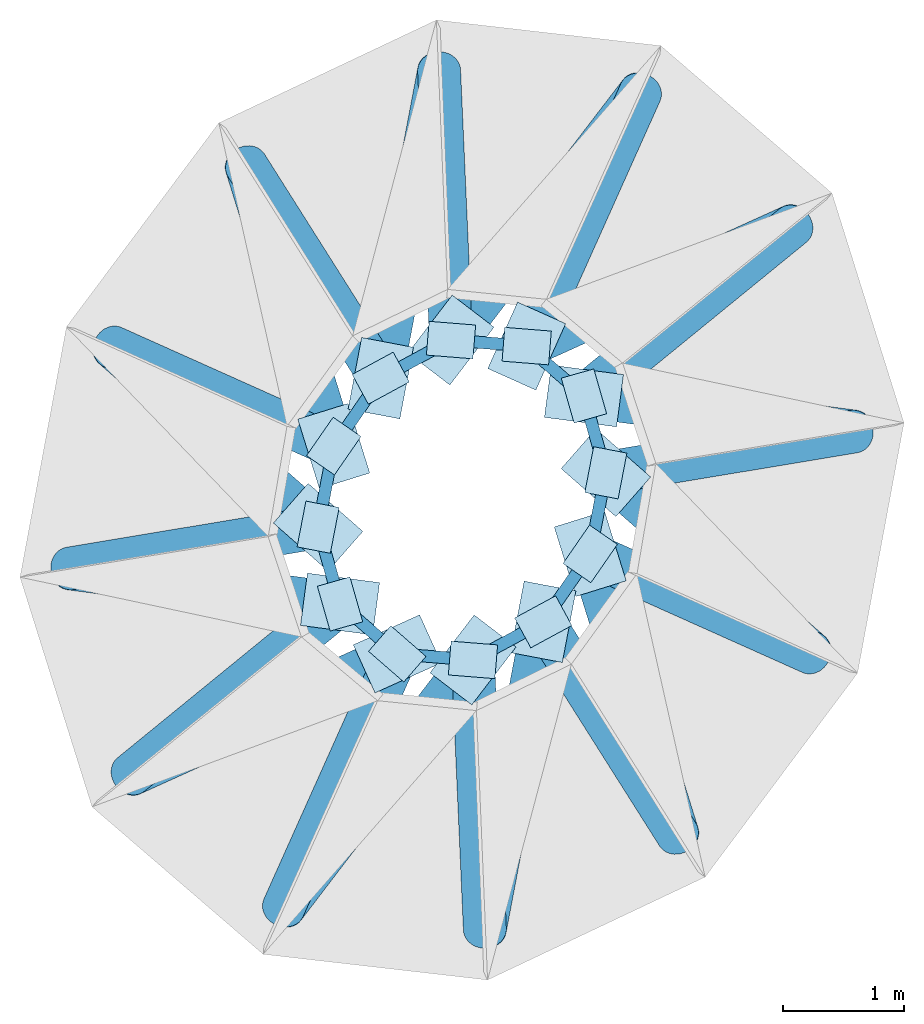
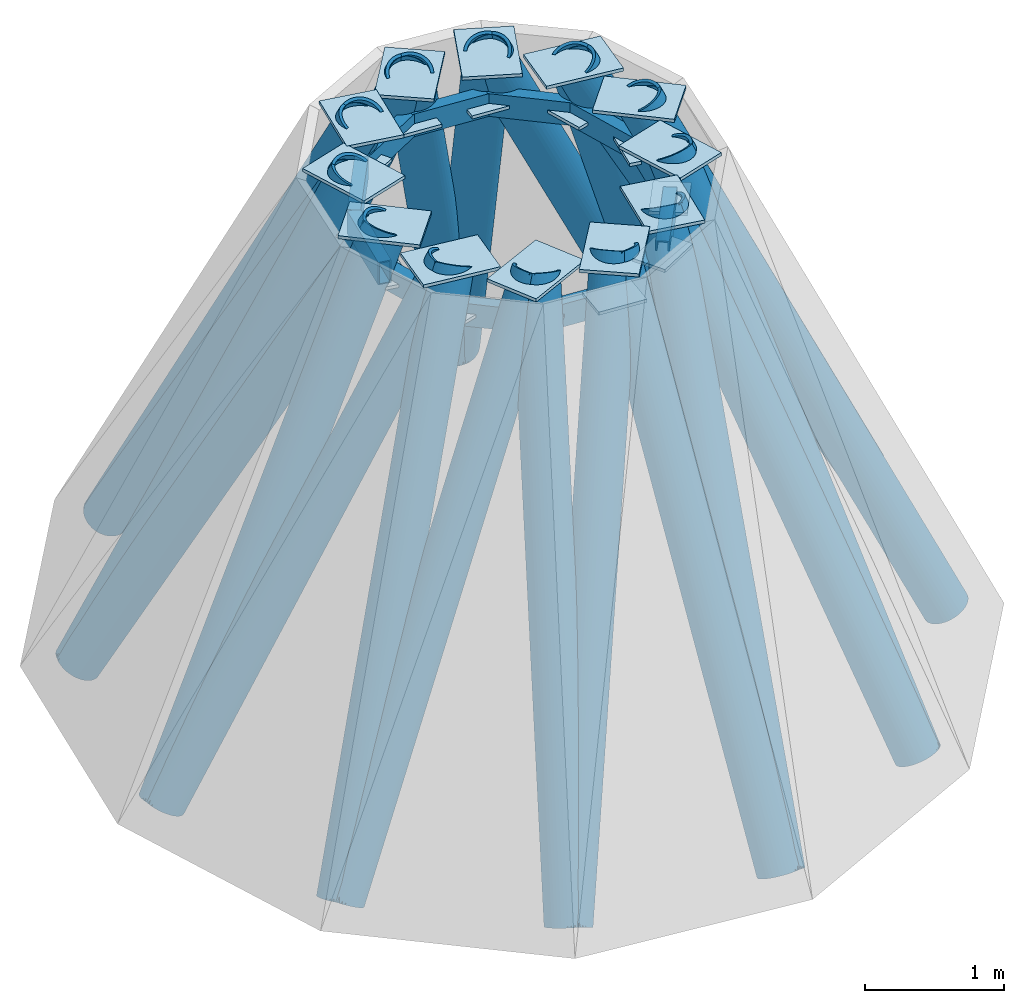
# One storey, part 1 of 2: 36 members, 24 plates.
"""IFC4 building model written with IfcOpenShell, lengths in metres."""

import ifcopenshell
import ifcopenshell.guid

model = None  # the IFC model being written
_history = None  # IfcOwnerHistory: only IFC2X3 demands one
_inside = {}  # id of a spatial element -> (the spatial element, [elements in it])
_under = {}  # id of a project, library or spatial element -> (it, [spatial elements below it])
_declared = {}  # id of a project -> (the project, [libraries it declares])
_typed = {}  # id of a type object -> (the type object, [elements of that type])
_made_of = {}  # id of a material, layer set ... -> (it, [elements and type objects made of it])


def new_model(schema):
    """Start an empty IFC model of exactly this schema.

    Asked for "IFC4X3", IfcOpenShell would pick the latest addendum, in which some entities
    have other attributes; the version numbers below select the first issue.
    IFC2X3 requires an IfcOwnerHistory on every rooted entity: one is made here for all.
    """
    global model, _history
    if schema == "IFC4X3":
        model = ifcopenshell.file(schema_version=(4, 3, 0, 0))
    else:
        model = ifcopenshell.file(schema=schema)
    _inside.clear()
    _under.clear()
    _declared.clear()
    _typed.clear()
    _made_of.clear()
    _history = None
    if model.schema == "IFC2X3":
        org = make("IfcOrganization", Name="unknown")
        user = make(
            "IfcPersonAndOrganization",
            ThePerson=make("IfcPerson", FamilyName="unknown"),
            TheOrganization=org,
        )
        app = make(
            "IfcApplication",
            ApplicationDeveloper=org,
            Version="unknown",
            ApplicationFullName="unknown",
            ApplicationIdentifier="unknown",
        )
        _history = make(
            "IfcOwnerHistory",
            OwningUser=user,
            OwningApplication=app,
            ChangeAction="ADDED",
            CreationDate=0,
        )
    return model


def make(cls, **values):
    """One entity of the class cls with the attributes given. An attribute that is None is left unset."""
    return model.create_entity(
        cls, **{name: value for name, value in values.items() if value is not None}
    )


def rooted(cls, **values):
    """An entity with a GlobalId (a new one), such as an element, a storey or a relation."""
    return make(cls, GlobalId=ifcopenshell.guid.new(), OwnerHistory=_history, **values)


def si_unit(unit_type, name, prefix=None):
    """IfcSIUnit, for example si_unit("LENGTHUNIT", "METRE", prefix="MILLI")."""
    return make("IfcSIUnit", UnitType=unit_type, Prefix=prefix, Name=name)


def assignment(units):
    """IfcUnitAssignment: the units of a project."""
    return None if units is None else make("IfcUnitAssignment", Units=units)


def point(xyz):
    """IfcCartesianPoint."""
    return None if xyz is None else make("IfcCartesianPoint", Coordinates=xyz)


def direction(xyz):
    """IfcDirection."""
    return None if xyz is None else make("IfcDirection", DirectionRatios=xyz)


def frame(location, z_axis=None, x_axis=None):
    """IfcAxis2Placement3D, a coordinate frame: its origin and axes. An axis left out is left unset."""
    return make(
        "IfcAxis2Placement3D",
        Location=point(location),
        Axis=direction(z_axis),
        RefDirection=direction(x_axis),
    )


def frame_2d(location, x_axis=None):
    """IfcAxis2Placement2D, a coordinate frame in the plane: its origin and x axis."""
    return make(
        "IfcAxis2Placement2D", Location=point(location), RefDirection=direction(x_axis)
    )


def origin():
    """The frame at (0, 0, 0) with its axes left unset."""
    return frame((0.0, 0.0, 0.0))


def origin_2d():
    """The frame at (0, 0) in the plane with its x axis left unset."""
    return frame_2d((0.0, 0.0))


def place(relative_to, where):
    """IfcLocalPlacement: puts the frame where relative to a parent placement (None: the world)."""
    return make(
        "IfcLocalPlacement", PlacementRelTo=relative_to, RelativePlacement=where
    )


def context(
    kind, dimensions, precision=None, world=None, true_north=None, identifier=None
):
    """IfcGeometricRepresentationContext, for example the 3D "Model" context."""
    return make(
        "IfcGeometricRepresentationContext",
        ContextIdentifier=identifier,
        ContextType=kind,
        CoordinateSpaceDimension=dimensions,
        Precision=precision,
        WorldCoordinateSystem=world,
        TrueNorth=true_north,
    )


def subcontext(parent, identifier, kind, view, scale=None):
    """IfcGeometricRepresentationSubContext, for example "Body" below "Model"."""
    return make(
        "IfcGeometricRepresentationSubContext",
        ContextIdentifier=identifier,
        ContextType=kind,
        ParentContext=parent,
        TargetScale=scale,
        TargetView=view,
    )


def project(units=None, contexts=None):
    """IfcProject with its units and contexts."""
    return rooted(
        "IfcProject",
        Name="project",
        RepresentationContexts=contexts,
        UnitsInContext=assignment(units),
    )


def spatial(cls, under=None, at=None, **own):
    """A site, building, storey or space (cls), placed at a placement, below another one or the project."""
    s = rooted(cls, ObjectPlacement=at, **own)
    if under is not None:
        _under.setdefault(under.id(), (under, []))[1].append(s)
    return s


def profile(cls, at=None, kind="AREA", **sizes):
    """A parametric profile (cls). Its sizes go by their IFC names, for example OverallWidth=200.0."""
    return make(cls, ProfileType=kind, Position=at, **sizes)


def rectangle(**sizes):
    """IfcRectangleProfileDef."""
    return profile("IfcRectangleProfileDef", **sizes)


def hollow_rectangle(**sizes):
    """IfcRectangleHollowProfileDef."""
    return profile("IfcRectangleHollowProfileDef", **sizes)


def hollow_circle(**sizes):
    """IfcCircleHollowProfileDef."""
    return profile("IfcCircleHollowProfileDef", **sizes)


def extrude(swept, where, along, depth):
    """IfcExtrudedAreaSolid: the profile swept, set in the frame where, extruded along a direction by depth."""
    return make(
        "IfcExtrudedAreaSolid",
        SweptArea=swept,
        Position=where,
        ExtrudedDirection=direction(along),
        Depth=depth,
    )


def shape(context_of_items, identifier, shape_type, items):
    """IfcShapeRepresentation: the items that make up one representation, for example the "Body"."""
    return make(
        "IfcShapeRepresentation",
        ContextOfItems=context_of_items,
        RepresentationIdentifier=identifier,
        RepresentationType=shape_type,
        Items=items,
    )


def material(Name=None, Category=None):
    """IfcMaterial."""
    return make("IfcMaterial", Name=Name, Category=Category)


def layer(
    of_material, thickness, ventilated=None, Name=None, Category=None, Priority=None
):
    """IfcMaterialLayer: one layer of a wall or slab, of a material (None: an air gap)."""
    return make(
        "IfcMaterialLayer",
        Material=of_material,
        LayerThickness=thickness,
        IsVentilated=ventilated,
        Name=Name,
        Category=Category,
        Priority=Priority,
    )


def layer_set(layers, Name=None):
    """IfcMaterialLayerSet."""
    return make("IfcMaterialLayerSet", MaterialLayers=layers, LayerSetName=Name)


def material_profile(
    of_material, cross_section, Name=None, Category=None, Priority=None
):
    """IfcMaterialProfile: a cross section and its material."""
    return make(
        "IfcMaterialProfile",
        Name=Name,
        Material=of_material,
        Profile=cross_section,
        Priority=Priority,
        Category=Category,
    )


def profile_set(profiles, Name=None, composite=None):
    """IfcMaterialProfileSet."""
    return make(
        "IfcMaterialProfileSet",
        Name=Name,
        MaterialProfiles=profiles,
        CompositeProfile=composite,
    )


def made_of(thing, what):
    """Note that an element or type object is made of a material, layer set ...; save() writes the relation."""
    if what is not None:
        _made_of.setdefault(what.id(), (what, []))[1].append(thing)
    return thing


def type_object(cls, material=None, **own):
    """A type object (cls), such as IfcWallType, which elements share."""
    return made_of(rooted(cls, **own), material)


def element(
    cls,
    number,
    at=None,
    inside=None,
    cuts=None,
    type_object=None,
    material=None,
    context=None,
    identifier="Body",
    shape_type=None,
    held_by="IfcProductDefinitionShape",
    body=None,
    shapes=None,
    **own,
):
    """One element of the class cls, such as IfcWall. Its Tag is "e" and its number.

    at: its placement. inside: the storey or other place that contains it. cuts: it is an
    opening in that element (IfcRelVoidsElement). A single representation is given by context,
    identifier, shape_type and body (its items); several are given by shapes. held_by: the class
    of the entity that holds the representations. save() writes the other relations.
    """
    e = rooted(cls, Tag="e%d" % number, ObjectPlacement=at, **own)
    if body is not None:
        shapes = [shape(context, identifier, shape_type, body)]
    if shapes is not None:
        e.Representation = make(held_by, Representations=shapes)
    if inside is not None:
        _inside.setdefault(inside.id(), (inside, []))[1].append(e)
    if cuts is not None:
        rooted(
            "IfcRelVoidsElement", RelatingBuildingElement=cuts, RelatedOpeningElement=e
        )
    if type_object is not None:
        _typed.setdefault(type_object.id(), (type_object, []))[1].append(e)
    return made_of(e, material)


def aggregate(whole, parts):
    """IfcRelAggregates: a whole, such as a stair, and the parts it consists of."""
    return rooted("IfcRelAggregates", RelatingObject=whole, RelatedObjects=parts)


def save(model, path):
    """Write the relations noted so far, then the file.

    IfcRelAggregates (storeys below a building ...), IfcRelContainedInSpatialStructure (elements
    in a storey), IfcRelDefinesByType, IfcRelAssociatesMaterial and IfcRelDeclares: one each for
    every whole, place, type object, material and project.
    """
    for whole, parts in _under.values():
        aggregate(whole, parts)
    for where, things in _inside.values():
        rooted(
            "IfcRelContainedInSpatialStructure",
            RelatedElements=things,
            RelatingStructure=where,
        )
    for kind, things in _typed.values():
        rooted("IfcRelDefinesByType", RelatedObjects=things, RelatingType=kind)
    for what, things in _made_of.values():
        rooted("IfcRelAssociatesMaterial", RelatedObjects=things, RelatingMaterial=what)
    for by, libraries in _declared.values():
        rooted("IfcRelDeclares", RelatingContext=by, RelatedDefinitions=libraries)
    model.write(path)


model = new_model("IFC4")

# Units and contexts
model_context = context("Model", 3, precision=1e-05, world=origin(), true_north=direction((0.0, 1.0)))
body_context = subcontext(model_context, "Body", "Model", "MODEL_VIEW")
ifc_project = project(units=[si_unit("LENGTHUNIT", "METRE"), si_unit("AREAUNIT", "SQUARE_METRE"), si_unit("VOLUMEUNIT", "CUBIC_METRE"), si_unit("PLANEANGLEUNIT", "RADIAN"), si_unit("MASSUNIT", "GRAM", prefix="KILO")], contexts=[model_context])

# Site, building, storey
site_placement = place(None, origin())
site = spatial("IfcSite", under=ifc_project, at=site_placement, CompositionType="ELEMENT")
building_placement = place(site_placement, origin())
building = spatial("IfcBuilding", under=site, at=building_placement, Name="Veldorim Arch Residences", CompositionType="ELEMENT")
storey_placement = place(building_placement, frame((0.0, 0.0, 267.679931640625)))
storey = spatial("IfcBuildingStorey", under=building, at=storey_placement, Name="L79", CompositionType="ELEMENT", Elevation=267.679931640625)

# Members
ifc_material_1 = material(Name="Steel S460", Category="steel")
ifc_material_profile_1 = material_profile(ifc_material_1, hollow_circle(Radius=0.177734375, WallThickness=0.02490234375, at=origin_2d()), Name="CHS355.6x25")
ifc_profile_set_1 = profile_set([ifc_material_profile_1], Name="Steel S460")
member_type_1 = type_object("IfcMemberType", Name="Crown Diagrid CHS355.6x25", PredefinedType="STRUT", material=ifc_profile_set_1)
member_1_placement = place(storey_placement, frame((33.4755859375, 27.37109375, 0.0), z_axis=(-0.197885134784, -0.441530885995, 0.875152529645), x_axis=(0.912542111417, -0.408982756228, 0.0)))
element("IfcMember", 1, at=member_1_placement, inside=storey, type_object=member_type_1, Name="L79 Crown Diagrid tapering rib 01", PredefinedType="STRUT", context=body_context, shape_type="SweptSolid", body=[
    extrude(hollow_circle(Radius=0.177734375, WallThickness=0.02490234375, at=origin_2d()), origin(), (0.0, 0.0, 1.0), 4.753662109375),
])
member_2_placement = place(storey_placement, frame((33.4755859375, 27.37109375, 0.0), z_axis=(-0.320019973885, -0.418579741403, 0.84992835957), x_axis=(0.794422315932, -0.60736577443, 0.0)))
element("IfcMember", 2, at=member_2_placement, inside=storey, type_object=member_type_1, Name="L79 Crown Diagrid diagrid brace 01", PredefinedType="STRUT", context=body_context, shape_type="SweptSolid", body=[
    extrude(hollow_circle(Radius=0.177734375, WallThickness=0.02490234375, at=origin_2d()), origin(), (0.0, 0.0, 1.0), 4.894775390625),
])
member_3_placement = place(storey_placement, frame((31.810791015625, 27.549072265625, 0.0), z_axis=(0.020846532281, -0.471814444015, 0.881451389761), x_axis=(0.999025324881, 0.044140686978, 0.0)))
element("IfcMember", 3, at=member_3_placement, inside=storey, type_object=member_type_1, Name="L79 Crown Diagrid tapering rib 02", PredefinedType="STRUT", context=body_context, shape_type="SweptSolid", body=[
    extrude(hollow_circle(Radius=0.177734375, WallThickness=0.02490234375, at=origin_2d()), origin(), (0.0, 0.0, 1.0), 4.7197265625),
])
member_4_placement = place(storey_placement, frame((31.810791015625, 27.549072265625, 0.0), z_axis=(-0.098471172804, -0.518867333623, 0.84916436467), x_axis=(0.982463881775, -0.186452999461, 0.0)))
element("IfcMember", 4, at=member_4_placement, inside=storey, type_object=member_type_1, Name="L79 Crown Diagrid diagrid brace 02", PredefinedType="STRUT", context=body_context, shape_type="SweptSolid", body=[
    extrude(hollow_circle(Radius=0.177734375, WallThickness=0.02490234375, at=origin_2d()), origin(), (0.0, 0.0, 1.0), 4.899169921875),
])
member_5_placement = place(storey_placement, frame((30.21728515625, 26.7646484375, 0.0), z_axis=(0.238898854996, -0.377902187896, 0.894492746458), x_axis=(0.845262834574, 0.534350765404, 0.0)))
element("IfcMember", 5, at=member_5_placement, inside=storey, type_object=member_type_1, Name="L79 Crown Diagrid tapering rib 03", PredefinedType="STRUT", context=body_context, shape_type="SweptSolid", body=[
    extrude(hollow_circle(Radius=0.177734375, WallThickness=0.02490234375, at=origin_2d()), origin(), (0.0, 0.0, 1.0), 4.65087890625),
])
member_6_placement = place(storey_placement, frame((30.21728515625, 26.7646484375, 0.0), z_axis=(0.150009677915, -0.481399300849, 0.863569226915), x_axis=(0.954721098055, 0.297502310795, 0.0)))
element("IfcMember", 6, at=member_6_placement, inside=storey, type_object=member_type_1, Name="L79 Crown Diagrid diagrid brace 03", PredefinedType="STRUT", context=body_context, shape_type="SweptSolid", body=[
    extrude(hollow_circle(Radius=0.177734375, WallThickness=0.02490234375, at=origin_2d()), origin(), (0.0, 0.0, 1.0), 4.8173828125),
])
member_7_placement = place(storey_placement, frame((29.114501953125, 25.26318359375, 0.0), z_axis=(0.395457417788, -0.177128111832, 0.90124306528), x_axis=(0.40877551169, 0.912634965932, 0.0)))
element("IfcMember", 7, at=member_7_placement, inside=storey, type_object=member_type_1, Name="L79 Crown Diagrid tapering rib 04", PredefinedType="STRUT", context=body_context, shape_type="SweptSolid", body=[
    extrude(hollow_circle(Radius=0.177734375, WallThickness=0.02490234375, at=origin_2d()), origin(), (0.0, 0.0, 1.0), 4.615966796875),
])
member_8_placement = place(storey_placement, frame((29.114501953125, 25.26318359375, 0.0), z_axis=(0.358373111857, -0.314421205811, 0.879038120922), x_axis=(0.659507549052, 0.75169793983, 0.0)))
element("IfcMember", 8, at=member_8_placement, inside=storey, type_object=member_type_1, Name="L79 Crown Diagrid diagrid brace 04", PredefinedType="STRUT", context=body_context, shape_type="SweptSolid", body=[
    extrude(hollow_circle(Radius=0.177734375, WallThickness=0.02490234375, at=origin_2d()), origin(), (0.0, 0.0, 1.0), 4.732666015625),
])
member_9_placement = place(storey_placement, frame((28.759521484375, 23.43408203125, 0.0), z_axis=(0.441004964418, 0.073334595321, 0.894503582155), x_axis=(-0.164037192504, 0.986454154776, 0.0)))
element("IfcMember", 9, at=member_9_placement, inside=storey, type_object=member_type_1, Name="L79 Crown Diagrid tapering rib 05", PredefinedType="STRUT", context=body_context, shape_type="SweptSolid", body=[
    extrude(hollow_circle(Radius=0.177734375, WallThickness=0.02490234375, at=origin_2d()), origin(), (0.0, 0.0, 1.0), 4.65087890625),
])
member_10_placement = place(storey_placement, frame((28.759521484375, 23.43408203125, 0.0), z_axis=(0.471885807165, -0.06219210299, 0.879463431487), x_axis=(0.130664885012, 0.991426592252, 0.0)))
element("IfcMember", 10, at=member_10_placement, inside=storey, type_object=member_type_1, Name="L79 Crown Diagrid diagrid brace 05", PredefinedType="STRUT", context=body_context, shape_type="SweptSolid", body=[
    extrude(hollow_circle(Radius=0.177734375, WallThickness=0.02490234375, at=origin_2d()), origin(), (0.0, 0.0, 1.0), 4.730224609375),
])
member_11_placement = place(storey_placement, frame((29.264404296875, 21.731201171875, 0.0), z_axis=(0.365981398188, 0.298475288699, 0.881459084823), x_axis=(-0.63201422589, 0.774956784778, 0.0)))
element("IfcMember", 11, at=member_11_placement, inside=storey, type_object=member_type_1, Name="L79 Crown Diagrid tapering rib 06", PredefinedType="STRUT", context=body_context, shape_type="SweptSolid", body=[
    extrude(hollow_circle(Radius=0.177734375, WallThickness=0.02490234375, at=origin_2d()), origin(), (0.0, 0.0, 1.0), 4.7197265625),
])
member_12_placement = place(storey_placement, frame((29.264404296875, 21.731201171875, 0.0), z_axis=(0.457453536571, 0.207158346603, 0.864766836385), x_axis=(-0.412523376389, 0.910947014888, 0.0)))
element("IfcMember", 12, at=member_12_placement, inside=storey, type_object=member_type_1, Name="L79 Crown Diagrid diagrid brace 06", PredefinedType="STRUT", context=body_context, shape_type="SweptSolid", body=[
    extrude(hollow_circle(Radius=0.177734375, WallThickness=0.02490234375, at=origin_2d()), origin(), (0.0, 0.0, 1.0), 4.810791015625),
])
member_13_placement = place(storey_placement, frame((30.5244140625, 20.62890625, 0.0), z_axis=(0.197885134784, 0.441530885995, 0.875152529645), x_axis=(-0.912542111417, 0.408982756228, 0.0)))
element("IfcMember", 13, at=member_13_placement, inside=storey, type_object=member_type_1, Name="L79 Crown Diagrid tapering rib 07", PredefinedType="STRUT", context=body_context, shape_type="SweptSolid", body=[
    extrude(hollow_circle(Radius=0.177734375, WallThickness=0.02490234375, at=origin_2d()), origin(), (0.0, 0.0, 1.0), 4.753662109375),
])
member_14_placement = place(storey_placement, frame((30.5244140625, 20.62890625, 0.0), z_axis=(0.320019973885, 0.418579741403, 0.84992835957), x_axis=(-0.794422315932, 0.60736577443, 0.0)))
element("IfcMember", 14, at=member_14_placement, inside=storey, type_object=member_type_1, Name="L79 Crown Diagrid diagrid brace 07", PredefinedType="STRUT", context=body_context, shape_type="SweptSolid", body=[
    extrude(hollow_circle(Radius=0.177734375, WallThickness=0.02490234375, at=origin_2d()), origin(), (0.0, 0.0, 1.0), 4.894775390625),
])
member_15_placement = place(storey_placement, frame((32.189208984375, 20.450927734375, 0.0), z_axis=(-0.020846532281, 0.471814444015, 0.881451389761), x_axis=(-0.999025324881, -0.044140686978, 0.0)))
element("IfcMember", 15, at=member_15_placement, inside=storey, type_object=member_type_1, Name="L79 Crown Diagrid tapering rib 08", PredefinedType="STRUT", context=body_context, shape_type="SweptSolid", body=[
    extrude(hollow_circle(Radius=0.177734375, WallThickness=0.02490234375, at=origin_2d()), origin(), (0.0, 0.0, 1.0), 4.7197265625),
])
member_16_placement = place(storey_placement, frame((32.189208984375, 20.450927734375, 0.0), z_axis=(0.098471172804, 0.518867333623, 0.84916436467), x_axis=(-0.982463881775, 0.186452999461, 0.0)))
element("IfcMember", 16, at=member_16_placement, inside=storey, type_object=member_type_1, Name="L79 Crown Diagrid diagrid brace 08", PredefinedType="STRUT", context=body_context, shape_type="SweptSolid", body=[
    extrude(hollow_circle(Radius=0.177734375, WallThickness=0.02490234375, at=origin_2d()), origin(), (0.0, 0.0, 1.0), 4.899169921875),
])
member_17_placement = place(storey_placement, frame((33.78271484375, 21.2353515625, 0.0), z_axis=(-0.238898854996, 0.377902187896, 0.894492746458), x_axis=(-0.845262834574, -0.534350765404, 0.0)))
element("IfcMember", 17, at=member_17_placement, inside=storey, type_object=member_type_1, Name="L79 Crown Diagrid tapering rib 09", PredefinedType="STRUT", context=body_context, shape_type="SweptSolid", body=[
    extrude(hollow_circle(Radius=0.177734375, WallThickness=0.02490234375, at=origin_2d()), origin(), (0.0, 0.0, 1.0), 4.65087890625),
])
member_18_placement = place(storey_placement, frame((33.78271484375, 21.2353515625, 0.0), z_axis=(-0.150009677915, 0.481399300849, 0.863569226915), x_axis=(-0.954721098055, -0.297502310795, 0.0)))
element("IfcMember", 18, at=member_18_placement, inside=storey, type_object=member_type_1, Name="L79 Crown Diagrid diagrid brace 09", PredefinedType="STRUT", context=body_context, shape_type="SweptSolid", body=[
    extrude(hollow_circle(Radius=0.177734375, WallThickness=0.02490234375, at=origin_2d()), origin(), (0.0, 0.0, 1.0), 4.8173828125),
])
member_19_placement = place(storey_placement, frame((34.885498046875, 22.73681640625, 0.0), z_axis=(-0.395457417788, 0.177128111832, 0.90124306528), x_axis=(-0.40877551169, -0.912634965932, 0.0)))
element("IfcMember", 19, at=member_19_placement, inside=storey, type_object=member_type_1, Name="L79 Crown Diagrid tapering rib 10", PredefinedType="STRUT", context=body_context, shape_type="SweptSolid", body=[
    extrude(hollow_circle(Radius=0.177734375, WallThickness=0.02490234375, at=origin_2d()), origin(), (0.0, 0.0, 1.0), 4.615966796875),
])
member_20_placement = place(storey_placement, frame((34.885498046875, 22.73681640625, 0.0), z_axis=(-0.358373111857, 0.314421205811, 0.879038120922), x_axis=(-0.659507549052, -0.75169793983, 0.0)))
element("IfcMember", 20, at=member_20_placement, inside=storey, type_object=member_type_1, Name="L79 Crown Diagrid diagrid brace 10", PredefinedType="STRUT", context=body_context, shape_type="SweptSolid", body=[
    extrude(hollow_circle(Radius=0.177734375, WallThickness=0.02490234375, at=origin_2d()), origin(), (0.0, 0.0, 1.0), 4.732666015625),
])
member_21_placement = place(storey_placement, frame((35.240478515625, 24.56591796875, 0.0), z_axis=(-0.441004964418, -0.073334595321, 0.894503582155), x_axis=(0.164037192504, -0.986454154776, 0.0)))
element("IfcMember", 21, at=member_21_placement, inside=storey, type_object=member_type_1, Name="L79 Crown Diagrid tapering rib 11", PredefinedType="STRUT", context=body_context, shape_type="SweptSolid", body=[
    extrude(hollow_circle(Radius=0.177734375, WallThickness=0.02490234375, at=origin_2d()), origin(), (0.0, 0.0, 1.0), 4.65087890625),
])
member_22_placement = place(storey_placement, frame((35.240478515625, 24.56591796875, 0.0), z_axis=(-0.471885807165, 0.06219210299, 0.879463431487), x_axis=(-0.130664885012, -0.991426592252, 0.0)))
element("IfcMember", 22, at=member_22_placement, inside=storey, type_object=member_type_1, Name="L79 Crown Diagrid diagrid brace 11", PredefinedType="STRUT", context=body_context, shape_type="SweptSolid", body=[
    extrude(hollow_circle(Radius=0.177734375, WallThickness=0.02490234375, at=origin_2d()), origin(), (0.0, 0.0, 1.0), 4.730224609375),
])
member_23_placement = place(storey_placement, frame((34.735595703125, 26.268798828125, 0.0), z_axis=(-0.365981398188, -0.298475288699, 0.881459084823), x_axis=(0.63201422589, -0.774956784778, 0.0)))
element("IfcMember", 23, at=member_23_placement, inside=storey, type_object=member_type_1, Name="L79 Crown Diagrid tapering rib 12", PredefinedType="STRUT", context=body_context, shape_type="SweptSolid", body=[
    extrude(hollow_circle(Radius=0.177734375, WallThickness=0.02490234375, at=origin_2d()), origin(), (0.0, 0.0, 1.0), 4.7197265625),
])
member_24_placement = place(storey_placement, frame((34.735595703125, 26.268798828125, 0.0), z_axis=(-0.457453536571, -0.207158346603, 0.864766836385), x_axis=(0.412523376389, -0.910947014888, 0.0)))
element("IfcMember", 24, at=member_24_placement, inside=storey, type_object=member_type_1, Name="L79 Crown Diagrid diagrid brace 12", PredefinedType="STRUT", context=body_context, shape_type="SweptSolid", body=[
    extrude(hollow_circle(Radius=0.177734375, WallThickness=0.02490234375, at=origin_2d()), origin(), (0.0, 0.0, 1.0), 4.810791015625),
])
ifc_material_2 = material(Name="Steel S355", Category="steel")
ifc_material_profile_2 = material_profile(ifc_material_2, hollow_rectangle(XDim=0.10009765625, YDim=0.199951171875, WallThickness=0.010009765625, at=origin_2d()), Name="RHS200x100x10")
ifc_profile_set_2 = profile_set([ifc_material_profile_2], Name="Steel S355")
member_type_2 = type_object("IfcMemberType", Name="Truss Purlin RHS200x100x10", PredefinedType="PURLIN", material=ifc_profile_set_2)
member_25_placement = place(storey_placement, frame((32.534912109375, 25.272216796875, 3.739990234375), z_axis=(-0.996816515064, 0.079729764178, 0.0), x_axis=(-0.079729764178, -0.996816515064, 0.0)))
element("IfcMember", 25, at=member_25_placement, inside=storey, type_object=member_type_2, Name="L79 crown ring purlin 01", PredefinedType="PURLIN", context=body_context, shape_type="SweptSolid", body=[
    extrude(hollow_rectangle(XDim=0.10009765625, YDim=0.199951171875, WallThickness=0.010009765625, at=origin_2d()), origin(), (0.0, 0.0, 1.0), 0.627685546875),
])
member_26_placement = place(storey_placement, frame((31.9091796875, 25.322265625, 3.739990234375), z_axis=(-0.878924237333, -0.476961408322, 0.0), x_axis=(0.476961408322, -0.878924237333, 0.0)))
element("IfcMember", 26, at=member_26_placement, inside=storey, type_object=member_type_2, Name="L79 crown ring purlin 02", PredefinedType="PURLIN", context=body_context, shape_type="SweptSolid", body=[
    extrude(hollow_rectangle(XDim=0.10009765625, YDim=0.199951171875, WallThickness=0.010009765625, at=origin_2d()), origin(), (0.0, 0.0, 1.0), 0.660888671875),
])
for number, where, z_axis, x_axis, name in (
    (27, (31.328369140625, 25.007080078125, 3.739990234375), (-0.568893844899, -0.822410963713, 0.0), (0.822410963713, -0.568893844899, 0.0), "L79 crown ring purlin 03"),
    (28, (30.93994140625, 24.445556640625, 3.739990234375), (-0.189510456113, -0.981878702806, 0.0), (0.981878702806, -0.189510456113, 0.0), "L79 crown ring purlin 04"),
):
    element("IfcMember", number, at=place(storey_placement, frame(where, z_axis=z_axis, x_axis=x_axis)), inside=storey, type_object=member_type_2, Name=name, PredefinedType="PURLIN", context=body_context, shape_type="SweptSolid", body=[
        extrude(hollow_rectangle(XDim=0.10009765625, YDim=0.199951171875, WallThickness=0.010009765625, at=origin_2d()), origin(), (0.0, 0.0, 1.0), 0.682861328125),
    ])
member_27_placement = place(storey_placement, frame((30.810546875, 23.775146484375, 3.739990234375), z_axis=(0.27423295978, -0.961663290227, 0.0), x_axis=(0.961663290227, 0.27423295978, 0.0)))
element("IfcMember", 29, at=member_27_placement, inside=storey, type_object=member_type_2, Name="L79 crown ring purlin 05", PredefinedType="PURLIN", context=body_context, shape_type="SweptSolid", body=[
    extrude(hollow_rectangle(XDim=0.10009765625, YDim=0.199951171875, WallThickness=0.010009765625, at=origin_2d()), origin(), (0.0, 0.0, 1.0), 0.66064453125),
])
for number, where, z_axis, x_axis, name in (
    (30, (30.99169921875, 23.139892578125, 3.739990234375), (0.754236937594, -0.65660234691, 0.0), (0.65660234691, 0.754236937594, 0.0), "L79 crown ring purlin 06"),
    (31, (31.465087890625, 22.727783203125, 3.739990234375), (0.996816515064, -0.079729764178, 0.0), (0.079729764178, 0.996816515064, 0.0), "L79 crown ring purlin 07"),
):
    element("IfcMember", number, at=place(storey_placement, frame(where, z_axis=z_axis, x_axis=x_axis)), inside=storey, type_object=member_type_2, Name=name, PredefinedType="PURLIN", context=body_context, shape_type="SweptSolid", body=[
        extrude(hollow_rectangle(XDim=0.10009765625, YDim=0.199951171875, WallThickness=0.010009765625, at=origin_2d()), origin(), (0.0, 0.0, 1.0), 0.627685546875),
    ])
member_28_placement = place(storey_placement, frame((32.0908203125, 22.677734375, 3.739990234375), z_axis=(0.878924237333, 0.476961408322, 0.0), x_axis=(-0.476961408322, 0.878924237333, 0.0)))
element("IfcMember", 32, at=member_28_placement, inside=storey, type_object=member_type_2, Name="L79 crown ring purlin 08", PredefinedType="PURLIN", context=body_context, shape_type="SweptSolid", body=[
    extrude(hollow_rectangle(XDim=0.10009765625, YDim=0.199951171875, WallThickness=0.010009765625, at=origin_2d()), origin(), (0.0, 0.0, 1.0), 0.660888671875),
])
for number, where, z_axis, x_axis, name in (
    (33, (32.671630859375, 22.992919921875, 3.739990234375), (0.568893844899, 0.822410963713, 0.0), (-0.822410963713, 0.568893844899, 0.0), "L79 crown ring purlin 09"),
    (34, (33.06005859375, 23.554443359375, 3.739990234375), (0.189510456113, 0.981878702806, 0.0), (-0.981878702806, 0.189510456113, 0.0), "L79 crown ring purlin 10"),
):
    element("IfcMember", number, at=place(storey_placement, frame(where, z_axis=z_axis, x_axis=x_axis)), inside=storey, type_object=member_type_2, Name=name, PredefinedType="PURLIN", context=body_context, shape_type="SweptSolid", body=[
        extrude(hollow_rectangle(XDim=0.10009765625, YDim=0.199951171875, WallThickness=0.010009765625, at=origin_2d()), origin(), (0.0, 0.0, 1.0), 0.682861328125),
    ])
member_29_placement = place(storey_placement, frame((33.189453125, 24.224853515625, 3.739990234375), z_axis=(-0.27423295978, 0.961663290227, 0.0), x_axis=(-0.961663290227, -0.27423295978, 0.0)))
element("IfcMember", 35, at=member_29_placement, inside=storey, type_object=member_type_2, Name="L79 crown ring purlin 11", PredefinedType="PURLIN", context=body_context, shape_type="SweptSolid", body=[
    extrude(hollow_rectangle(XDim=0.10009765625, YDim=0.199951171875, WallThickness=0.010009765625, at=origin_2d()), origin(), (0.0, 0.0, 1.0), 0.66064453125),
])
member_30_placement = place(storey_placement, frame((33.00830078125, 24.860107421875, 3.739990234375), z_axis=(-0.754236937594, 0.65660234691, 0.0), x_axis=(-0.65660234691, -0.754236937594, 0.0)))
element("IfcMember", 36, at=member_30_placement, inside=storey, type_object=member_type_2, Name="L79 crown ring purlin 12", PredefinedType="PURLIN", context=body_context, shape_type="SweptSolid", body=[
    extrude(hollow_rectangle(XDim=0.10009765625, YDim=0.199951171875, WallThickness=0.010009765625, at=origin_2d()), origin(), (0.0, 0.0, 1.0), 0.627685546875),
])

# Plates
ifc_material_3 = material(Name="Steel S460", Category="steel")
ifc_layer = layer(ifc_material_3, 0.028076171875, Name="Welded Crown Rib End-Cap Gusset Plate 28")
ifc_layer_set = layer_set([ifc_layer], Name="Steel S460")
plate_type = type_object("IfcPlateType", Name="Welded Crown Rib End-Cap Gusset Plate 28", PredefinedType="USERDEFINED", material=ifc_layer_set)
for number, where, z_axis, x_axis, name in (
    (37, (32.534912109375, 25.272216796875, 4.14599609375), (0.0, 0.0, 1.0), (-0.409063198952, -0.912506054371, 0.0), "L79 Crown Diagrid tapering rib 01 welded joint gusset plate 2"),
    (38, (31.9091796875, 25.322265625, 4.14599609375), (0.0, 0.0, 1.0), (-0.607375839723, -0.794414620535, 0.0), "L79 Crown Diagrid diagrid brace 01 welded joint gusset plate 2"),
):
    element("IfcPlate", number, at=place(storey_placement, frame(where, z_axis=z_axis, x_axis=x_axis)), inside=storey, type_object=plate_type, Name=name, ObjectType="GUSSET PLATE", PredefinedType="USERDEFINED", context=body_context, shape_type="SweptSolid", body=[
        extrude(rectangle(XDim=0.60205078125, YDim=0.43603515625, at=origin_2d()), origin(), (0.0, 0.0, 1.0), 0.028076171875),
    ])
for number, where, z_axis, x_axis, name in (
    (39, (32.534912109375, 25.272216796875, 3.72607421875), (0.0, 0.0, 1.0), (-0.996820733877, 0.079677001159, 0.0), "L79 crown ring purlin 01 welded joint gusset plate 1"),
    (40, (31.9091796875, 25.322265625, 3.72607421875), (0.0, 0.0, 1.0), (-0.996820733877, 0.079677001159, 0.0), "L79 crown ring purlin 01 welded joint gusset plate 2"),
):
    element("IfcPlate", number, at=place(storey_placement, frame(where, z_axis=z_axis, x_axis=x_axis)), inside=storey, type_object=plate_type, Name=name, ObjectType="GUSSET PLATE", PredefinedType="USERDEFINED", context=body_context, shape_type="SweptSolid", body=[
        extrude(rectangle(XDim=0.385986328125, YDim=0.280029296875, at=origin_2d()), origin(), (0.0, 0.0, 1.0), 0.028076171875),
    ])
plate_1_placement = place(storey_placement, frame((31.328369140625, 25.007080078125, 4.14599609375), z_axis=(0.0, 0.0, 1.0), x_axis=(-0.186524036009, -0.982450397726, 0.0)))
element("IfcPlate", 41, at=plate_1_placement, inside=storey, type_object=plate_type, Name="L79 Crown Diagrid diagrid brace 02 welded joint gusset plate 2", ObjectType="GUSSET PLATE", PredefinedType="USERDEFINED", context=body_context, shape_type="SweptSolid", body=[
    extrude(rectangle(XDim=0.60205078125, YDim=0.43603515625, at=origin_2d()), origin(), (0.0, 0.0, 1.0), 0.028076171875),
])
plate_2_placement = place(storey_placement, frame((31.328369140625, 25.007080078125, 3.72607421875), z_axis=(0.0, 0.0, 1.0), x_axis=(-0.879075151752, -0.476683204625, 0.0)))
element("IfcPlate", 42, at=plate_2_placement, inside=storey, type_object=plate_type, Name="L79 crown ring purlin 02 welded joint gusset plate 2", ObjectType="GUSSET PLATE", PredefinedType="USERDEFINED", context=body_context, shape_type="SweptSolid", body=[
    extrude(rectangle(XDim=0.385986328125, YDim=0.280029296875, at=origin_2d()), origin(), (0.0, 0.0, 1.0), 0.028076171875),
])
plate_3_placement = place(storey_placement, frame((30.93994140625, 24.445556640625, 4.14599609375), z_axis=(0.0, 0.0, 1.0), x_axis=(0.297441528231, -0.954740036493, 0.0)))
element("IfcPlate", 43, at=plate_3_placement, inside=storey, type_object=plate_type, Name="L79 Crown Diagrid diagrid brace 03 welded joint gusset plate 2", ObjectType="GUSSET PLATE", PredefinedType="USERDEFINED", context=body_context, shape_type="SweptSolid", body=[
    extrude(rectangle(XDim=0.60205078125, YDim=0.43603515625, at=origin_2d()), origin(), (0.0, 0.0, 1.0), 0.028076171875),
])
plate_4_placement = place(storey_placement, frame((30.93994140625, 24.445556640625, 3.72607421875), z_axis=(0.0, 0.0, 1.0), x_axis=(-0.568820262813, -0.822461858455, 0.0)))
element("IfcPlate", 44, at=plate_4_placement, inside=storey, type_object=plate_type, Name="L79 crown ring purlin 03 welded joint gusset plate 2", ObjectType="GUSSET PLATE", PredefinedType="USERDEFINED", context=body_context, shape_type="SweptSolid", body=[
    extrude(rectangle(XDim=0.385986328125, YDim=0.280029296875, at=origin_2d()), origin(), (0.0, 0.0, 1.0), 0.028076171875),
])
plate_5_placement = place(storey_placement, frame((30.810546875, 23.775146484375, 4.14599609375), z_axis=(0.0, 0.0, 1.0), x_axis=(0.751736228406, -0.659463905686, 0.0)))
element("IfcPlate", 45, at=plate_5_placement, inside=storey, type_object=plate_type, Name="L79 Crown Diagrid diagrid brace 04 welded joint gusset plate 2", ObjectType="GUSSET PLATE", PredefinedType="USERDEFINED", context=body_context, shape_type="SweptSolid", body=[
    extrude(rectangle(XDim=0.60205078125, YDim=0.43603515625, at=origin_2d()), origin(), (0.0, 0.0, 1.0), 0.028076171875),
])
plate_6_placement = place(storey_placement, frame((30.810546875, 23.775146484375, 3.72607421875), z_axis=(0.0, 0.0, 1.0), x_axis=(-0.189523885292, -0.981876110772, 0.0)))
element("IfcPlate", 46, at=plate_6_placement, inside=storey, type_object=plate_type, Name="L79 crown ring purlin 04 welded joint gusset plate 2", ObjectType="GUSSET PLATE", PredefinedType="USERDEFINED", context=body_context, shape_type="SweptSolid", body=[
    extrude(rectangle(XDim=0.385986328125, YDim=0.280029296875, at=origin_2d()), origin(), (0.0, 0.0, 1.0), 0.028076171875),
])
plate_7_placement = place(storey_placement, frame((30.99169921875, 23.139892578125, 4.14599609375), z_axis=(0.0, 0.0, 1.0), x_axis=(0.991422065155, -0.130699230003, 0.0)))
element("IfcPlate", 47, at=plate_7_placement, inside=storey, type_object=plate_type, Name="L79 Crown Diagrid diagrid brace 05 welded joint gusset plate 2", ObjectType="GUSSET PLATE", PredefinedType="USERDEFINED", context=body_context, shape_type="SweptSolid", body=[
    extrude(rectangle(XDim=0.60205078125, YDim=0.43603515625, at=origin_2d()), origin(), (0.0, 0.0, 1.0), 0.028076171875),
])
plate_8_placement = place(storey_placement, frame((30.99169921875, 23.139892578125, 3.72607421875), z_axis=(0.0, 0.0, 1.0), x_axis=(0.27437883141, -0.961621680742, 0.0)))
element("IfcPlate", 48, at=plate_8_placement, inside=storey, type_object=plate_type, Name="L79 crown ring purlin 05 welded joint gusset plate 2", ObjectType="GUSSET PLATE", PredefinedType="USERDEFINED", context=body_context, shape_type="SweptSolid", body=[
    extrude(rectangle(XDim=0.385986328125, YDim=0.280029296875, at=origin_2d()), origin(), (0.0, 0.0, 1.0), 0.028076171875),
])
plate_9_placement = place(storey_placement, frame((31.465087890625, 22.727783203125, 4.14599609375), z_axis=(0.0, 0.0, 1.0), x_axis=(0.910943042196, 0.412532148899, 0.0)))
element("IfcPlate", 49, at=plate_9_placement, inside=storey, type_object=plate_type, Name="L79 Crown Diagrid diagrid brace 06 welded joint gusset plate 2", ObjectType="GUSSET PLATE", PredefinedType="USERDEFINED", context=body_context, shape_type="SweptSolid", body=[
    extrude(rectangle(XDim=0.60205078125, YDim=0.43603515625, at=origin_2d()), origin(), (0.0, 0.0, 1.0), 0.028076171875),
])
plate_10_placement = place(storey_placement, frame((31.465087890625, 22.727783203125, 3.72607421875), z_axis=(0.0, 0.0, 1.0), x_axis=(0.75433159219, -0.656493601663, 0.0)))
element("IfcPlate", 50, at=plate_10_placement, inside=storey, type_object=plate_type, Name="L79 crown ring purlin 06 welded joint gusset plate 2", ObjectType="GUSSET PLATE", PredefinedType="USERDEFINED", context=body_context, shape_type="SweptSolid", body=[
    extrude(rectangle(XDim=0.385986328125, YDim=0.280029296875, at=origin_2d()), origin(), (0.0, 0.0, 1.0), 0.028076171875),
])
plate_11_placement = place(storey_placement, frame((32.0908203125, 22.677734375, 4.14599609375), z_axis=(0.0, 0.0, 1.0), x_axis=(0.607375839723, 0.794414620535, 0.0)))
element("IfcPlate", 51, at=plate_11_placement, inside=storey, type_object=plate_type, Name="L79 Crown Diagrid diagrid brace 07 welded joint gusset plate 2", ObjectType="GUSSET PLATE", PredefinedType="USERDEFINED", context=body_context, shape_type="SweptSolid", body=[
    extrude(rectangle(XDim=0.60205078125, YDim=0.43603515625, at=origin_2d()), origin(), (0.0, 0.0, 1.0), 0.028076171875),
])
plate_12_placement = place(storey_placement, frame((32.0908203125, 22.677734375, 3.72607421875), z_axis=(0.0, 0.0, 1.0), x_axis=(0.996820733877, -0.079677001159, 0.0)))
element("IfcPlate", 52, at=plate_12_placement, inside=storey, type_object=plate_type, Name="L79 crown ring purlin 07 welded joint gusset plate 2", ObjectType="GUSSET PLATE", PredefinedType="USERDEFINED", context=body_context, shape_type="SweptSolid", body=[
    extrude(rectangle(XDim=0.385986328125, YDim=0.280029296875, at=origin_2d()), origin(), (0.0, 0.0, 1.0), 0.028076171875),
])
plate_13_placement = place(storey_placement, frame((32.671630859375, 22.992919921875, 4.14599609375), z_axis=(0.0, 0.0, 1.0), x_axis=(0.186524036009, 0.982450397726, 0.0)))
element("IfcPlate", 53, at=plate_13_placement, inside=storey, type_object=plate_type, Name="L79 Crown Diagrid diagrid brace 08 welded joint gusset plate 2", ObjectType="GUSSET PLATE", PredefinedType="USERDEFINED", context=body_context, shape_type="SweptSolid", body=[
    extrude(rectangle(XDim=0.60205078125, YDim=0.43603515625, at=origin_2d()), origin(), (0.0, 0.0, 1.0), 0.028076171875),
])
plate_14_placement = place(storey_placement, frame((32.671630859375, 22.992919921875, 3.72607421875), z_axis=(0.0, 0.0, 1.0), x_axis=(0.879075151752, 0.476683204625, 0.0)))
element("IfcPlate", 54, at=plate_14_placement, inside=storey, type_object=plate_type, Name="L79 crown ring purlin 08 welded joint gusset plate 2", ObjectType="GUSSET PLATE", PredefinedType="USERDEFINED", context=body_context, shape_type="SweptSolid", body=[
    extrude(rectangle(XDim=0.385986328125, YDim=0.280029296875, at=origin_2d()), origin(), (0.0, 0.0, 1.0), 0.028076171875),
])
plate_15_placement = place(storey_placement, frame((33.06005859375, 23.554443359375, 4.14599609375), z_axis=(0.0, 0.0, 1.0), x_axis=(-0.297441528231, 0.954740036493, 0.0)))
element("IfcPlate", 55, at=plate_15_placement, inside=storey, type_object=plate_type, Name="L79 Crown Diagrid diagrid brace 09 welded joint gusset plate 2", ObjectType="GUSSET PLATE", PredefinedType="USERDEFINED", context=body_context, shape_type="SweptSolid", body=[
    extrude(rectangle(XDim=0.60205078125, YDim=0.43603515625, at=origin_2d()), origin(), (0.0, 0.0, 1.0), 0.028076171875),
])
plate_16_placement = place(storey_placement, frame((33.06005859375, 23.554443359375, 3.72607421875), z_axis=(0.0, 0.0, 1.0), x_axis=(0.568820262813, 0.822461858455, 0.0)))
element("IfcPlate", 56, at=plate_16_placement, inside=storey, type_object=plate_type, Name="L79 crown ring purlin 09 welded joint gusset plate 2", ObjectType="GUSSET PLATE", PredefinedType="USERDEFINED", context=body_context, shape_type="SweptSolid", body=[
    extrude(rectangle(XDim=0.385986328125, YDim=0.280029296875, at=origin_2d()), origin(), (0.0, 0.0, 1.0), 0.028076171875),
])
plate_17_placement = place(storey_placement, frame((33.189453125, 24.224853515625, 4.14599609375), z_axis=(0.0, 0.0, 1.0), x_axis=(-0.751736228406, 0.659463905686, 0.0)))
element("IfcPlate", 57, at=plate_17_placement, inside=storey, type_object=plate_type, Name="L79 Crown Diagrid diagrid brace 10 welded joint gusset plate 2", ObjectType="GUSSET PLATE", PredefinedType="USERDEFINED", context=body_context, shape_type="SweptSolid", body=[
    extrude(rectangle(XDim=0.60205078125, YDim=0.43603515625, at=origin_2d()), origin(), (0.0, 0.0, 1.0), 0.028076171875),
])
plate_18_placement = place(storey_placement, frame((33.189453125, 24.224853515625, 3.72607421875), z_axis=(0.0, 0.0, 1.0), x_axis=(0.189523885292, 0.981876110772, 0.0)))
element("IfcPlate", 58, at=plate_18_placement, inside=storey, type_object=plate_type, Name="L79 crown ring purlin 10 welded joint gusset plate 2", ObjectType="GUSSET PLATE", PredefinedType="USERDEFINED", context=body_context, shape_type="SweptSolid", body=[
    extrude(rectangle(XDim=0.385986328125, YDim=0.280029296875, at=origin_2d()), origin(), (0.0, 0.0, 1.0), 0.028076171875),
])
plate_19_placement = place(storey_placement, frame((33.00830078125, 24.860107421875, 4.14599609375), z_axis=(0.0, 0.0, 1.0), x_axis=(-0.991422065155, 0.130699230003, 0.0)))
element("IfcPlate", 59, at=plate_19_placement, inside=storey, type_object=plate_type, Name="L79 Crown Diagrid diagrid brace 11 welded joint gusset plate 2", ObjectType="GUSSET PLATE", PredefinedType="USERDEFINED", context=body_context, shape_type="SweptSolid", body=[
    extrude(rectangle(XDim=0.60205078125, YDim=0.43603515625, at=origin_2d()), origin(), (0.0, 0.0, 1.0), 0.028076171875),
])
plate_20_placement = place(storey_placement, frame((33.00830078125, 24.860107421875, 3.72607421875), z_axis=(0.0, 0.0, 1.0), x_axis=(-0.27437883141, 0.961621680742, 0.0)))
element("IfcPlate", 60, at=plate_20_placement, inside=storey, type_object=plate_type, Name="L79 crown ring purlin 11 welded joint gusset plate 2", ObjectType="GUSSET PLATE", PredefinedType="USERDEFINED", context=body_context, shape_type="SweptSolid", body=[
    extrude(rectangle(XDim=0.385986328125, YDim=0.280029296875, at=origin_2d()), origin(), (0.0, 0.0, 1.0), 0.028076171875),
])

save(model, "model.ifc")
